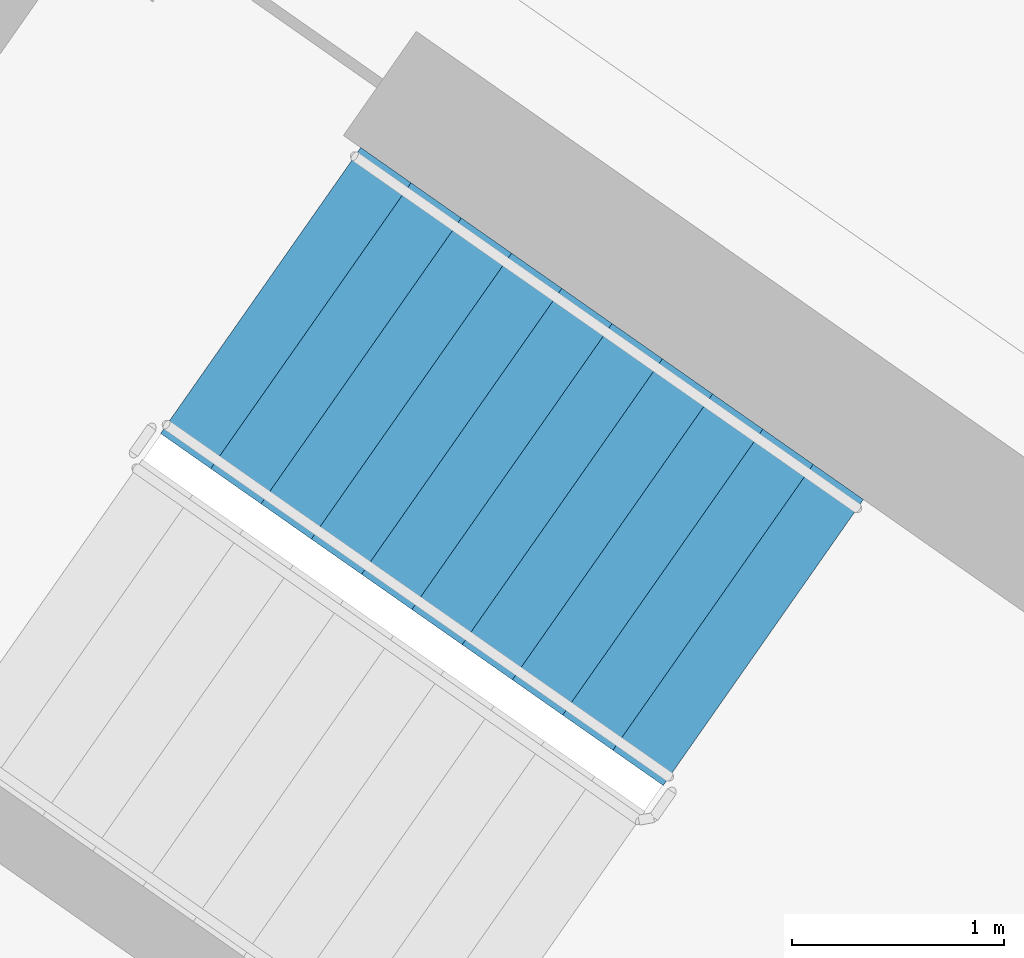
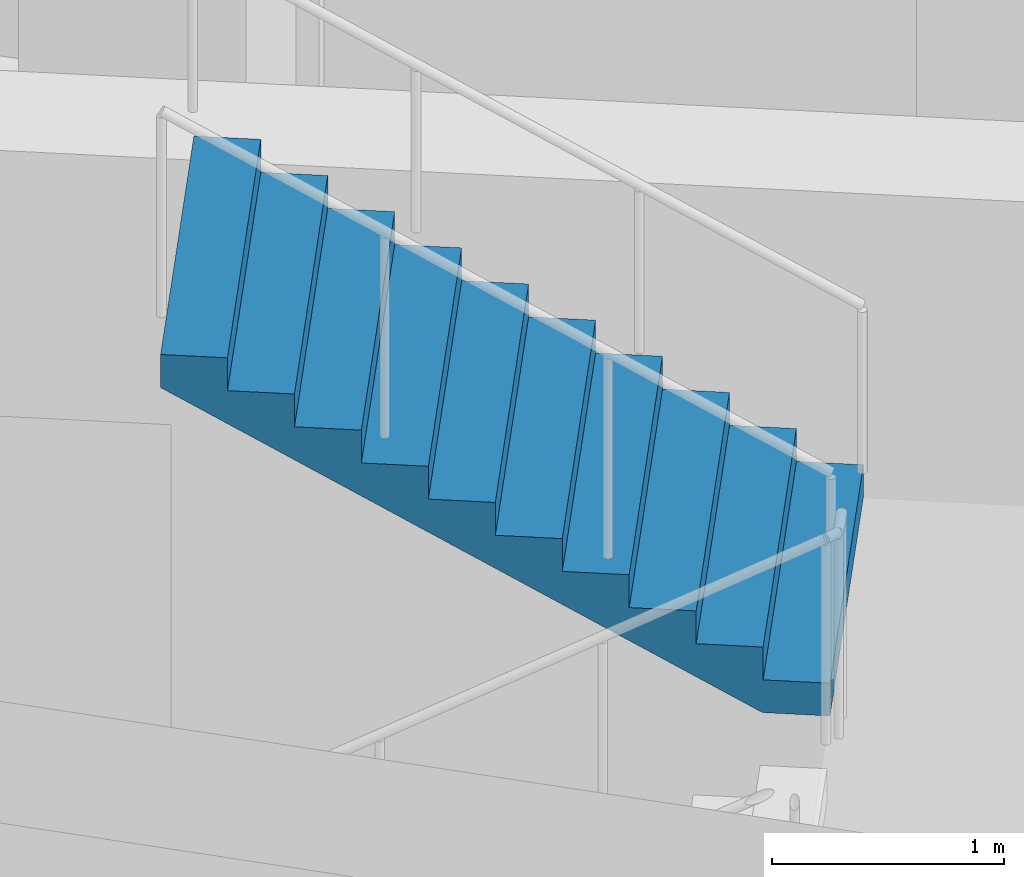
# One storey, part 13 of 28: 1 stair flight, 1 element without a shape of its own.
"""IFC4 building model written with IfcOpenShell, lengths in metres."""

import ifcopenshell
import ifcopenshell.guid

model = None  # the IFC model being written
_history = None  # IfcOwnerHistory: only IFC2X3 demands one
_inside = {}  # id of a spatial element -> (the spatial element, [elements in it])
_under = {}  # id of a project, library or spatial element -> (it, [spatial elements below it])
_declared = {}  # id of a project -> (the project, [libraries it declares])
_typed = {}  # id of a type object -> (the type object, [elements of that type])
_made_of = {}  # id of a material, layer set ... -> (it, [elements and type objects made of it])


def new_model(schema):
    """Start an empty IFC model of exactly this schema.

    Asked for "IFC4X3", IfcOpenShell would pick the latest addendum, in which some entities
    have other attributes; the version numbers below select the first issue.
    IFC2X3 requires an IfcOwnerHistory on every rooted entity: one is made here for all.
    """
    global model, _history
    if schema == "IFC4X3":
        model = ifcopenshell.file(schema_version=(4, 3, 0, 0))
    else:
        model = ifcopenshell.file(schema=schema)
    _inside.clear()
    _under.clear()
    _declared.clear()
    _typed.clear()
    _made_of.clear()
    _history = None
    if model.schema == "IFC2X3":
        org = make("IfcOrganization", Name="unknown")
        user = make(
            "IfcPersonAndOrganization",
            ThePerson=make("IfcPerson", FamilyName="unknown"),
            TheOrganization=org,
        )
        app = make(
            "IfcApplication",
            ApplicationDeveloper=org,
            Version="unknown",
            ApplicationFullName="unknown",
            ApplicationIdentifier="unknown",
        )
        _history = make(
            "IfcOwnerHistory",
            OwningUser=user,
            OwningApplication=app,
            ChangeAction="ADDED",
            CreationDate=0,
        )
    return model


def make(cls, **values):
    """One entity of the class cls with the attributes given. An attribute that is None is left unset."""
    return model.create_entity(
        cls, **{name: value for name, value in values.items() if value is not None}
    )


def rooted(cls, **values):
    """An entity with a GlobalId (a new one), such as an element, a storey or a relation."""
    return make(cls, GlobalId=ifcopenshell.guid.new(), OwnerHistory=_history, **values)


def si_unit(unit_type, name, prefix=None):
    """IfcSIUnit, for example si_unit("LENGTHUNIT", "METRE", prefix="MILLI")."""
    return make("IfcSIUnit", UnitType=unit_type, Prefix=prefix, Name=name)


def assignment(units):
    """IfcUnitAssignment: the units of a project."""
    return None if units is None else make("IfcUnitAssignment", Units=units)


def point(xyz):
    """IfcCartesianPoint."""
    return None if xyz is None else make("IfcCartesianPoint", Coordinates=xyz)


def direction(xyz):
    """IfcDirection."""
    return None if xyz is None else make("IfcDirection", DirectionRatios=xyz)


def frame(location, z_axis=None, x_axis=None):
    """IfcAxis2Placement3D, a coordinate frame: its origin and axes. An axis left out is left unset."""
    return make(
        "IfcAxis2Placement3D",
        Location=point(location),
        Axis=direction(z_axis),
        RefDirection=direction(x_axis),
    )


def origin():
    """The frame at (0, 0, 0) with its axes left unset."""
    return frame((0.0, 0.0, 0.0))


def place(relative_to, where):
    """IfcLocalPlacement: puts the frame where relative to a parent placement (None: the world)."""
    return make(
        "IfcLocalPlacement", PlacementRelTo=relative_to, RelativePlacement=where
    )


def context(
    kind, dimensions, precision=None, world=None, true_north=None, identifier=None
):
    """IfcGeometricRepresentationContext, for example the 3D "Model" context."""
    return make(
        "IfcGeometricRepresentationContext",
        ContextIdentifier=identifier,
        ContextType=kind,
        CoordinateSpaceDimension=dimensions,
        Precision=precision,
        WorldCoordinateSystem=world,
        TrueNorth=true_north,
    )


def subcontext(parent, identifier, kind, view, scale=None):
    """IfcGeometricRepresentationSubContext, for example "Body" below "Model"."""
    return make(
        "IfcGeometricRepresentationSubContext",
        ContextIdentifier=identifier,
        ContextType=kind,
        ParentContext=parent,
        TargetScale=scale,
        TargetView=view,
    )


def project(units=None, contexts=None):
    """IfcProject with its units and contexts."""
    return rooted(
        "IfcProject",
        Name="project",
        RepresentationContexts=contexts,
        UnitsInContext=assignment(units),
    )


def spatial(cls, under=None, at=None, **own):
    """A site, building, storey or space (cls), placed at a placement, below another one or the project."""
    s = rooted(cls, ObjectPlacement=at, **own)
    if under is not None:
        _under.setdefault(under.id(), (under, []))[1].append(s)
    return s


def faces_of(points, faces, orient=None, outer=None):
    """IfcFace entities. A face is a list of loops; a loop is a list of indices into points, from 0.

    orient and outer hold one flag for each loop. By default every Orientation is true, the
    first loop of a face is its IfcFaceOuterBound and the others are IfcFaceBound.
    """
    made = []
    for i, loops in enumerate(faces):
        bounds = []
        for j, loop in enumerate(loops):
            is_outer = j == 0 if outer is None else outer[i][j]
            bounds.append(
                make(
                    "IfcFaceOuterBound" if is_outer else "IfcFaceBound",
                    Bound=make("IfcPolyLoop", Polygon=[points[k] for k in loop]),
                    Orientation=True if orient is None else orient[i][j],
                )
            )
        made.append(make("IfcFace", Bounds=bounds))
    return made


def faceted_brep(points, faces, orient=None, outer=None, voids=None):
    """IfcFacetedBrep: a solid bounded by flat faces; with voids (closed shells), ...WithVoids."""
    shared = [point(p) for p in points]
    hull = make("IfcClosedShell", CfsFaces=faces_of(shared, faces, orient, outer))
    if voids is None:
        return make("IfcFacetedBrep", Outer=hull)
    return make(
        "IfcFacetedBrepWithVoids",
        Outer=hull,
        Voids=[
            make(cls, CfsFaces=faces_of(shared, fs, o, b)) for cls, fs, o, b in voids
        ],
    )


def shape(context_of_items, identifier, shape_type, items):
    """IfcShapeRepresentation: the items that make up one representation, for example the "Body"."""
    return make(
        "IfcShapeRepresentation",
        ContextOfItems=context_of_items,
        RepresentationIdentifier=identifier,
        RepresentationType=shape_type,
        Items=items,
    )


def material(Name=None, Category=None):
    """IfcMaterial."""
    return make("IfcMaterial", Name=Name, Category=Category)


def made_of(thing, what):
    """Note that an element or type object is made of a material, layer set ...; save() writes the relation."""
    if what is not None:
        _made_of.setdefault(what.id(), (what, []))[1].append(thing)
    return thing


def type_object(cls, material=None, **own):
    """A type object (cls), such as IfcWallType, which elements share."""
    return made_of(rooted(cls, **own), material)


def element(
    cls,
    number,
    at=None,
    inside=None,
    cuts=None,
    type_object=None,
    material=None,
    context=None,
    identifier="Body",
    shape_type=None,
    held_by="IfcProductDefinitionShape",
    body=None,
    shapes=None,
    **own,
):
    """One element of the class cls, such as IfcWall. Its Tag is "e" and its number.

    at: its placement. inside: the storey or other place that contains it. cuts: it is an
    opening in that element (IfcRelVoidsElement). A single representation is given by context,
    identifier, shape_type and body (its items); several are given by shapes. held_by: the class
    of the entity that holds the representations. save() writes the other relations.
    """
    e = rooted(cls, Tag="e%d" % number, ObjectPlacement=at, **own)
    if body is not None:
        shapes = [shape(context, identifier, shape_type, body)]
    if shapes is not None:
        e.Representation = make(held_by, Representations=shapes)
    if inside is not None:
        _inside.setdefault(inside.id(), (inside, []))[1].append(e)
    if cuts is not None:
        rooted(
            "IfcRelVoidsElement", RelatingBuildingElement=cuts, RelatedOpeningElement=e
        )
    if type_object is not None:
        _typed.setdefault(type_object.id(), (type_object, []))[1].append(e)
    return made_of(e, material)


def aggregate(whole, parts):
    """IfcRelAggregates: a whole, such as a stair, and the parts it consists of."""
    return rooted("IfcRelAggregates", RelatingObject=whole, RelatedObjects=parts)


def save(model, path):
    """Write the relations noted so far, then the file.

    IfcRelAggregates (storeys below a building ...), IfcRelContainedInSpatialStructure (elements
    in a storey), IfcRelDefinesByType, IfcRelAssociatesMaterial and IfcRelDeclares: one each for
    every whole, place, type object, material and project.
    """
    for whole, parts in _under.values():
        aggregate(whole, parts)
    for where, things in _inside.values():
        rooted(
            "IfcRelContainedInSpatialStructure",
            RelatedElements=things,
            RelatingStructure=where,
        )
    for kind, things in _typed.values():
        rooted("IfcRelDefinesByType", RelatedObjects=things, RelatingType=kind)
    for what, things in _made_of.values():
        rooted("IfcRelAssociatesMaterial", RelatedObjects=things, RelatingMaterial=what)
    for by, libraries in _declared.values():
        rooted("IfcRelDeclares", RelatingContext=by, RelatedDefinitions=libraries)
    model.write(path)


model = new_model("IFC4")

# Units and contexts
model_context = context("Model", 3, precision=1e-05, world=origin(), true_north=direction((0.0, 1.0)))
body_context = subcontext(model_context, "Body", "Model", "MODEL_VIEW")
ifc_project = project(units=[si_unit("LENGTHUNIT", "METRE"), si_unit("AREAUNIT", "SQUARE_METRE"), si_unit("VOLUMEUNIT", "CUBIC_METRE"), si_unit("PLANEANGLEUNIT", "RADIAN"), si_unit("MASSUNIT", "GRAM", prefix="KILO")], contexts=[model_context])

# Site, building, storey
site_placement = place(None, origin())
site = spatial("IfcSite", under=ifc_project, at=site_placement, CompositionType="ELEMENT")
building_placement = place(site_placement, origin())
building = spatial("IfcBuilding", under=site, at=building_placement, Name="Qamariyya Broadcast Tower", CompositionType="ELEMENT")
storey_placement = place(building_placement, frame((0.0, 0.0, 234.10009765625)))
storey = spatial("IfcBuildingStorey", under=building, at=storey_placement, Name="L56", CompositionType="ELEMENT", Elevation=234.10009765625)

# Stair, stair flight
ifc_material = material(Name="Concrete C50/60", Category="concrete")
stair_type = type_object("IfcStairType", Name="Exit stair 22 risers of 173 mm", PredefinedType="HALF_TURN_STAIR", material=ifc_material)
stair_placement = place(storey_placement, origin())
stair = element("IfcStair", 1, at=stair_placement, inside=storey, type_object=stair_type, Name="L56 Stair W2", PredefinedType="HALF_TURN_STAIR")
stair_flight_type = type_object("IfcStairFlightType", Name="Exit stair flight 11 risers of 173 mm", PredefinedType="STRAIGHT", material=ifc_material)
stair_flight_placement = place(storey_placement, frame((-38.18310546875, -49.3486328125, 1.89990234375), z_axis=(0.0, 0.0, 1.0), x_axis=(-0.819152044289, 0.573576436351, 0.0)))
stair_flight = element("IfcStairFlight", 2, at=stair_flight_placement, type_object=stair_flight_type, Name="ST-W2 flight 2", NumberOfRisers=11, NumberOfTreads=10, PredefinedType="STRAIGHT", RiserHeight=0.172727273, TreadLength=0.29, context=body_context, shape_type="Brep", body=[
    faceted_brep([(0.0, 0.824951171875, 0.0), (0.0, 0.824951171875, 0.172607421875), (0.2900390625, 0.824951171875, 0.172607421875), (0.2900390625, 0.824951171875, 0.345458984375), (0.580078125, 0.824951171875, 0.345458984375), (0.580078125, 0.824951171875, 0.51806640625), (0.8701171875, 0.824951171875, 0.51806640625), (0.8701171875, 0.824951171875, 0.69091796875), (1.159912109375, 0.824951171875, 0.69091796875), (1.159912109375, 0.824951171875, 0.863525390625), (1.449951171875, 0.824951171875, 0.863525390625), (1.449951171875, 0.824951171875, 1.036376953125), (1.739990234375, 0.824951171875, 1.036376953125), (1.739990234375, 0.824951171875, 1.208984375), (2.030029296875, 0.824951171875, 1.208984375), (2.030029296875, 0.824951171875, 1.3818359375), (2.320068359375, 0.824951171875, 1.3818359375), (2.320068359375, 0.824951171875, 1.554443359375), (2.610107421875, 0.824951171875, 1.554443359375), (2.610107421875, 0.824951171875, 1.727294921875), (2.89990234375, 0.824951171875, 1.727294921875), (2.89990234375, 0.824951171875, 1.552734375), (0.29296875, 0.824951171875, 0.0), (0.29296875, -0.824951171875, 0.0), (2.89990234375, -0.824951171875, 1.552734375), (2.89990234375, -0.824951171875, 1.727294921875), (2.610107421875, -0.824951171875, 1.727294921875), (2.610107421875, -0.824951171875, 1.554443359375), (2.320068359375, -0.824951171875, 1.554443359375), (2.320068359375, -0.824951171875, 1.3818359375), (2.030029296875, -0.824951171875, 1.3818359375), (2.030029296875, -0.824951171875, 1.208984375), (1.739990234375, -0.824951171875, 1.208984375), (1.739990234375, -0.824951171875, 1.036376953125), (1.449951171875, -0.824951171875, 1.036376953125), (1.449951171875, -0.824951171875, 0.863525390625), (1.159912109375, -0.824951171875, 0.863525390625), (1.159912109375, -0.824951171875, 0.69091796875), (0.8701171875, -0.824951171875, 0.69091796875), (0.8701171875, -0.824951171875, 0.51806640625), (0.580078125, -0.824951171875, 0.51806640625), (0.580078125, -0.824951171875, 0.345458984375), (0.2900390625, -0.824951171875, 0.345458984375), (0.2900390625, -0.824951171875, 0.172607421875), (0.0, -0.824951171875, 0.172607421875), (0.0, -0.824951171875, 0.0), (0.0, 0.10009765625, 0.0), (0.0, 0.086669921875, 0.0), (0.0, 0.0732421875, 0.0), (0.0, 0.06005859375, 0.0), (0.0, 0.046630859375, 0.0), (0.0, 0.033447265625, 0.0), (0.0, 0.02001953125, 0.0), (0.0, 0.006591796875, 0.0), (0.0, -0.006591796875, 0.0), (0.0, -0.02001953125, 0.0), (0.0, -0.033447265625, 0.0), (0.0, -0.046630859375, 0.0), (0.0, -0.06005859375, 0.0), (0.0, -0.0732421875, 0.0), (0.0, -0.086669921875, 0.0), (0.0, -0.10009765625, 0.0), (0.0, -0.10009765625, 0.172607421875), (0.0, -0.086669921875, 0.172607421875), (0.0, -0.0732421875, 0.172607421875), (0.0, -0.06005859375, 0.172607421875), (0.0, -0.046630859375, 0.172607421875), (0.0, -0.033447265625, 0.172607421875), (0.0, -0.02001953125, 0.172607421875), (0.0, -0.006591796875, 0.172607421875), (0.0, 0.006591796875, 0.172607421875), (0.0, 0.02001953125, 0.172607421875), (0.0, 0.033447265625, 0.172607421875), (0.0, 0.046630859375, 0.172607421875), (0.0, 0.06005859375, 0.172607421875), (0.0, 0.0732421875, 0.172607421875), (0.0, 0.086669921875, 0.172607421875), (0.0, 0.10009765625, 0.172607421875), (0.2900390625, -0.10009765625, 0.172607421875), (0.2900390625, -0.086669921875, 0.172607421875), (0.2900390625, -0.0732421875, 0.172607421875), (0.2900390625, -0.06005859375, 0.172607421875), (0.2900390625, -0.046630859375, 0.172607421875), (0.2900390625, -0.033447265625, 0.172607421875), (0.2900390625, -0.02001953125, 0.172607421875), (0.2900390625, -0.006591796875, 0.172607421875), (0.2900390625, 0.006591796875, 0.172607421875), (0.2900390625, 0.02001953125, 0.172607421875), (0.2900390625, 0.033447265625, 0.172607421875), (0.2900390625, 0.046630859375, 0.172607421875), (0.2900390625, 0.06005859375, 0.172607421875), (0.2900390625, 0.0732421875, 0.172607421875), (0.2900390625, 0.086669921875, 0.172607421875), (0.2900390625, 0.10009765625, 0.172607421875), (0.2900390625, -0.10009765625, 0.345458984375), (0.2900390625, -0.086669921875, 0.345458984375), (0.2900390625, -0.0732421875, 0.345458984375), (0.2900390625, -0.06005859375, 0.345458984375), (0.2900390625, -0.046630859375, 0.345458984375), (0.2900390625, -0.033447265625, 0.345458984375), (0.2900390625, -0.02001953125, 0.345458984375), (0.2900390625, -0.006591796875, 0.345458984375), (0.2900390625, 0.006591796875, 0.345458984375), (0.2900390625, 0.02001953125, 0.345458984375), (0.2900390625, 0.033447265625, 0.345458984375), (0.2900390625, 0.046630859375, 0.345458984375), (0.2900390625, 0.06005859375, 0.345458984375), (0.2900390625, 0.0732421875, 0.345458984375), (0.2900390625, 0.086669921875, 0.345458984375), (0.2900390625, 0.10009765625, 0.345458984375), (0.580078125, -0.10009765625, 0.345458984375), (0.580078125, -0.086669921875, 0.345458984375), (0.580078125, -0.0732421875, 0.345458984375), (0.580078125, -0.06005859375, 0.345458984375), (0.580078125, -0.046630859375, 0.345458984375), (0.580078125, -0.033447265625, 0.345458984375), (0.580078125, -0.02001953125, 0.345458984375), (0.580078125, -0.006591796875, 0.345458984375), (0.580078125, 0.006591796875, 0.345458984375), (0.580078125, 0.02001953125, 0.345458984375), (0.580078125, 0.033447265625, 0.345458984375), (0.580078125, 0.046630859375, 0.345458984375), (0.580078125, 0.06005859375, 0.345458984375), (0.580078125, 0.0732421875, 0.345458984375), (0.580078125, 0.086669921875, 0.345458984375), (0.580078125, 0.10009765625, 0.345458984375), (0.580078125, -0.10009765625, 0.51806640625), (0.580078125, -0.086669921875, 0.51806640625), (0.580078125, -0.0732421875, 0.51806640625), (0.580078125, -0.06005859375, 0.51806640625), (0.580078125, -0.046630859375, 0.51806640625), (0.580078125, -0.033447265625, 0.51806640625), (0.580078125, -0.02001953125, 0.51806640625), (0.580078125, -0.006591796875, 0.51806640625), (0.580078125, 0.006591796875, 0.51806640625), (0.580078125, 0.02001953125, 0.51806640625), (0.580078125, 0.033447265625, 0.51806640625), (0.580078125, 0.046630859375, 0.51806640625), (0.580078125, 0.06005859375, 0.51806640625), (0.580078125, 0.0732421875, 0.51806640625), (0.580078125, 0.086669921875, 0.51806640625), (0.580078125, 0.10009765625, 0.51806640625), (0.8701171875, -0.10009765625, 0.51806640625), (0.8701171875, -0.086669921875, 0.51806640625), (0.8701171875, -0.0732421875, 0.51806640625), (0.8701171875, -0.06005859375, 0.51806640625), (0.8701171875, -0.046630859375, 0.51806640625), (0.8701171875, -0.033447265625, 0.51806640625), (0.8701171875, -0.02001953125, 0.51806640625), (0.8701171875, -0.006591796875, 0.51806640625), (0.8701171875, 0.006591796875, 0.51806640625), (0.8701171875, 0.02001953125, 0.51806640625), (0.8701171875, 0.033447265625, 0.51806640625), (0.8701171875, 0.046630859375, 0.51806640625), (0.8701171875, 0.06005859375, 0.51806640625), (0.8701171875, 0.0732421875, 0.51806640625), (0.8701171875, 0.086669921875, 0.51806640625), (0.8701171875, 0.10009765625, 0.51806640625), (0.8701171875, -0.10009765625, 0.69091796875), (0.8701171875, -0.086669921875, 0.69091796875), (0.8701171875, -0.0732421875, 0.69091796875), (0.8701171875, -0.06005859375, 0.69091796875), (0.8701171875, -0.046630859375, 0.69091796875), (0.8701171875, -0.033447265625, 0.69091796875), (0.8701171875, -0.02001953125, 0.69091796875), (0.8701171875, -0.006591796875, 0.69091796875), (0.8701171875, 0.006591796875, 0.69091796875), (0.8701171875, 0.02001953125, 0.69091796875), (0.8701171875, 0.033447265625, 0.69091796875), (0.8701171875, 0.046630859375, 0.69091796875), (0.8701171875, 0.06005859375, 0.69091796875), (0.8701171875, 0.0732421875, 0.69091796875), (0.8701171875, 0.086669921875, 0.69091796875), (0.8701171875, 0.10009765625, 0.69091796875), (1.159912109375, -0.10009765625, 0.69091796875), (1.159912109375, -0.086669921875, 0.69091796875), (1.159912109375, -0.0732421875, 0.69091796875), (1.159912109375, -0.06005859375, 0.69091796875), (1.159912109375, -0.046630859375, 0.69091796875), (1.159912109375, -0.033447265625, 0.69091796875), (1.159912109375, -0.02001953125, 0.69091796875), (1.159912109375, -0.006591796875, 0.69091796875), (1.159912109375, 0.006591796875, 0.69091796875), (1.159912109375, 0.02001953125, 0.69091796875), (1.159912109375, 0.033447265625, 0.69091796875), (1.159912109375, 0.046630859375, 0.69091796875), (1.159912109375, 0.06005859375, 0.69091796875), (1.159912109375, 0.0732421875, 0.69091796875), (1.159912109375, 0.086669921875, 0.69091796875), (1.159912109375, 0.10009765625, 0.69091796875), (1.159912109375, -0.10009765625, 0.863525390625), (1.159912109375, -0.086669921875, 0.863525390625), (1.159912109375, -0.0732421875, 0.863525390625), (1.159912109375, -0.06005859375, 0.863525390625), (1.159912109375, -0.046630859375, 0.863525390625), (1.159912109375, -0.033447265625, 0.863525390625), (1.159912109375, -0.02001953125, 0.863525390625), (1.159912109375, -0.006591796875, 0.863525390625), (1.159912109375, 0.006591796875, 0.863525390625), (1.159912109375, 0.02001953125, 0.863525390625), (1.159912109375, 0.033447265625, 0.863525390625), (1.159912109375, 0.046630859375, 0.863525390625), (1.159912109375, 0.06005859375, 0.863525390625), (1.159912109375, 0.0732421875, 0.863525390625), (1.159912109375, 0.086669921875, 0.863525390625), (1.159912109375, 0.10009765625, 0.863525390625), (1.449951171875, -0.10009765625, 0.863525390625), (1.449951171875, -0.086669921875, 0.863525390625), (1.449951171875, -0.0732421875, 0.863525390625), (1.449951171875, -0.06005859375, 0.863525390625), (1.449951171875, -0.046630859375, 0.863525390625), (1.449951171875, -0.033447265625, 0.863525390625), (1.449951171875, -0.02001953125, 0.863525390625), (1.449951171875, -0.006591796875, 0.863525390625), (1.449951171875, 0.006591796875, 0.863525390625), (1.449951171875, 0.02001953125, 0.863525390625), (1.449951171875, 0.033447265625, 0.863525390625), (1.449951171875, 0.046630859375, 0.863525390625), (1.449951171875, 0.06005859375, 0.863525390625), (1.449951171875, 0.0732421875, 0.863525390625), (1.449951171875, 0.086669921875, 0.863525390625), (1.449951171875, 0.10009765625, 0.863525390625), (1.449951171875, -0.10009765625, 1.036376953125), (1.449951171875, -0.086669921875, 1.036376953125), (1.449951171875, -0.0732421875, 1.036376953125), (1.449951171875, -0.06005859375, 1.036376953125), (1.449951171875, -0.046630859375, 1.036376953125), (1.449951171875, -0.033447265625, 1.036376953125), (1.449951171875, -0.02001953125, 1.036376953125), (1.449951171875, -0.006591796875, 1.036376953125), (1.449951171875, 0.006591796875, 1.036376953125), (1.449951171875, 0.02001953125, 1.036376953125), (1.449951171875, 0.033447265625, 1.036376953125), (1.449951171875, 0.046630859375, 1.036376953125), (1.449951171875, 0.06005859375, 1.036376953125), (1.449951171875, 0.0732421875, 1.036376953125), (1.449951171875, 0.086669921875, 1.036376953125), (1.449951171875, 0.10009765625, 1.036376953125), (1.739990234375, -0.10009765625, 1.036376953125), (1.739990234375, -0.086669921875, 1.036376953125), (1.739990234375, -0.0732421875, 1.036376953125), (1.739990234375, -0.06005859375, 1.036376953125), (1.739990234375, -0.046630859375, 1.036376953125), (1.739990234375, -0.033447265625, 1.036376953125), (1.739990234375, -0.02001953125, 1.036376953125), (1.739990234375, -0.006591796875, 1.036376953125), (1.739990234375, 0.006591796875, 1.036376953125), (1.739990234375, 0.02001953125, 1.036376953125), (1.739990234375, 0.033447265625, 1.036376953125), (1.739990234375, 0.046630859375, 1.036376953125), (1.739990234375, 0.06005859375, 1.036376953125), (1.739990234375, 0.0732421875, 1.036376953125), (1.739990234375, 0.086669921875, 1.036376953125), (1.739990234375, 0.10009765625, 1.036376953125), (1.739990234375, -0.10009765625, 1.208984375), (1.739990234375, -0.086669921875, 1.208984375), (1.739990234375, -0.0732421875, 1.208984375), (1.739990234375, -0.06005859375, 1.208984375), (1.739990234375, -0.046630859375, 1.208984375), (1.739990234375, -0.033447265625, 1.208984375), (1.739990234375, -0.02001953125, 1.208984375), (1.739990234375, -0.006591796875, 1.208984375), (1.739990234375, 0.006591796875, 1.208984375), (1.739990234375, 0.02001953125, 1.208984375), (1.739990234375, 0.033447265625, 1.208984375), (1.739990234375, 0.046630859375, 1.208984375), (1.739990234375, 0.06005859375, 1.208984375), (1.739990234375, 0.0732421875, 1.208984375), (1.739990234375, 0.086669921875, 1.208984375), (1.739990234375, 0.10009765625, 1.208984375), (2.030029296875, -0.10009765625, 1.208984375), (2.030029296875, -0.086669921875, 1.208984375), (2.030029296875, -0.0732421875, 1.208984375), (2.030029296875, -0.06005859375, 1.208984375), (2.030029296875, -0.046630859375, 1.208984375), (2.030029296875, -0.033447265625, 1.208984375), (2.030029296875, -0.02001953125, 1.208984375), (2.030029296875, -0.006591796875, 1.208984375), (2.030029296875, 0.006591796875, 1.208984375), (2.030029296875, 0.02001953125, 1.208984375), (2.030029296875, 0.033447265625, 1.208984375), (2.030029296875, 0.046630859375, 1.208984375), (2.030029296875, 0.06005859375, 1.208984375), (2.030029296875, 0.0732421875, 1.208984375), (2.030029296875, 0.086669921875, 1.208984375), (2.030029296875, 0.10009765625, 1.208984375), (2.030029296875, -0.10009765625, 1.3818359375), (2.030029296875, -0.086669921875, 1.3818359375), (2.030029296875, -0.0732421875, 1.3818359375), (2.030029296875, -0.06005859375, 1.3818359375), (2.030029296875, -0.046630859375, 1.3818359375), (2.030029296875, -0.033447265625, 1.3818359375), (2.030029296875, -0.02001953125, 1.3818359375), (2.030029296875, -0.006591796875, 1.3818359375), (2.030029296875, 0.006591796875, 1.3818359375), (2.030029296875, 0.02001953125, 1.3818359375), (2.030029296875, 0.033447265625, 1.3818359375), (2.030029296875, 0.046630859375, 1.3818359375), (2.030029296875, 0.06005859375, 1.3818359375), (2.030029296875, 0.0732421875, 1.3818359375), (2.030029296875, 0.086669921875, 1.3818359375), (2.030029296875, 0.10009765625, 1.3818359375), (2.320068359375, -0.10009765625, 1.3818359375), (2.320068359375, -0.086669921875, 1.3818359375), (2.320068359375, -0.0732421875, 1.3818359375), (2.320068359375, -0.06005859375, 1.3818359375), (2.320068359375, -0.046630859375, 1.3818359375), (2.320068359375, -0.033447265625, 1.3818359375), (2.320068359375, -0.02001953125, 1.3818359375), (2.320068359375, -0.006591796875, 1.3818359375), (2.320068359375, 0.006591796875, 1.3818359375), (2.320068359375, 0.02001953125, 1.3818359375), (2.320068359375, 0.033447265625, 1.3818359375), (2.320068359375, 0.046630859375, 1.3818359375), (2.320068359375, 0.06005859375, 1.3818359375), (2.320068359375, 0.0732421875, 1.3818359375), (2.320068359375, 0.086669921875, 1.3818359375), (2.320068359375, 0.10009765625, 1.3818359375), (2.320068359375, -0.10009765625, 1.554443359375), (2.320068359375, -0.086669921875, 1.554443359375), (2.320068359375, -0.0732421875, 1.554443359375), (2.320068359375, -0.06005859375, 1.554443359375), (2.320068359375, -0.046630859375, 1.554443359375), (2.320068359375, -0.033447265625, 1.554443359375), (2.320068359375, -0.02001953125, 1.554443359375), (2.320068359375, -0.006591796875, 1.554443359375), (2.320068359375, 0.006591796875, 1.554443359375), (2.320068359375, 0.02001953125, 1.554443359375), (2.320068359375, 0.033447265625, 1.554443359375), (2.320068359375, 0.046630859375, 1.554443359375), (2.320068359375, 0.06005859375, 1.554443359375), (2.320068359375, 0.0732421875, 1.554443359375), (2.320068359375, 0.086669921875, 1.554443359375), (2.320068359375, 0.10009765625, 1.554443359375), (2.610107421875, -0.10009765625, 1.554443359375), (2.610107421875, -0.086669921875, 1.554443359375), (2.610107421875, -0.0732421875, 1.554443359375), (2.610107421875, -0.06005859375, 1.554443359375), (2.610107421875, -0.046630859375, 1.554443359375), (2.610107421875, -0.033447265625, 1.554443359375), (2.610107421875, -0.02001953125, 1.554443359375), (2.610107421875, -0.006591796875, 1.554443359375), (2.610107421875, 0.006591796875, 1.554443359375), (2.610107421875, 0.02001953125, 1.554443359375), (2.610107421875, 0.033447265625, 1.554443359375), (2.610107421875, 0.046630859375, 1.554443359375), (2.610107421875, 0.06005859375, 1.554443359375), (2.610107421875, 0.0732421875, 1.554443359375), (2.610107421875, 0.086669921875, 1.554443359375), (2.610107421875, 0.10009765625, 1.554443359375), (2.610107421875, -0.10009765625, 1.727294921875), (2.610107421875, -0.086669921875, 1.727294921875), (2.610107421875, -0.0732421875, 1.727294921875), (2.610107421875, -0.06005859375, 1.727294921875), (2.610107421875, -0.046630859375, 1.727294921875), (2.610107421875, -0.033447265625, 1.727294921875), (2.610107421875, -0.02001953125, 1.727294921875), (2.610107421875, -0.006591796875, 1.727294921875), (2.610107421875, 0.006591796875, 1.727294921875), (2.610107421875, 0.02001953125, 1.727294921875), (2.610107421875, 0.033447265625, 1.727294921875), (2.610107421875, 0.046630859375, 1.727294921875), (2.610107421875, 0.06005859375, 1.727294921875), (2.610107421875, 0.0732421875, 1.727294921875), (2.610107421875, 0.086669921875, 1.727294921875), (2.610107421875, 0.10009765625, 1.727294921875), (2.89990234375, -0.10009765625, 1.727294921875), (2.89990234375, -0.086669921875, 1.727294921875), (2.89990234375, -0.0732421875, 1.727294921875), (2.89990234375, -0.06005859375, 1.727294921875), (2.89990234375, -0.046630859375, 1.727294921875), (2.89990234375, -0.033447265625, 1.727294921875), (2.89990234375, -0.02001953125, 1.727294921875), (2.89990234375, -0.006591796875, 1.727294921875), (2.89990234375, 0.006591796875, 1.727294921875), (2.89990234375, 0.02001953125, 1.727294921875), (2.89990234375, 0.033447265625, 1.727294921875), (2.89990234375, 0.046630859375, 1.727294921875), (2.89990234375, 0.06005859375, 1.727294921875), (2.89990234375, 0.0732421875, 1.727294921875), (2.89990234375, 0.086669921875, 1.727294921875), (2.89990234375, 0.10009765625, 1.727294921875), (2.89990234375, -0.10009765625, 1.552734375), (2.89990234375, -0.086669921875, 1.552734375), (2.89990234375, -0.0732421875, 1.552734375), (2.89990234375, -0.06005859375, 1.552734375), (2.89990234375, -0.046630859375, 1.552734375), (2.89990234375, -0.033447265625, 1.552734375), (2.89990234375, -0.02001953125, 1.552734375), (2.89990234375, -0.006591796875, 1.552734375), (2.89990234375, 0.006591796875, 1.552734375), (2.89990234375, 0.02001953125, 1.552734375), (2.89990234375, 0.033447265625, 1.552734375), (2.89990234375, 0.046630859375, 1.552734375), (2.89990234375, 0.06005859375, 1.552734375), (2.89990234375, 0.0732421875, 1.552734375), (2.89990234375, 0.086669921875, 1.552734375), (2.89990234375, 0.10009765625, 1.552734375), (0.29296875, -0.10009765625, 0.0), (0.29296875, -0.086669921875, 0.0), (0.29296875, -0.0732421875, 0.0), (0.29296875, -0.06005859375, 0.0), (0.29296875, -0.046630859375, 0.0), (0.29296875, -0.033447265625, 0.0), (0.29296875, -0.02001953125, 0.0), (0.29296875, -0.006591796875, 0.0), (0.29296875, 0.006591796875, 0.0), (0.29296875, 0.02001953125, 0.0), (0.29296875, 0.033447265625, 0.0), (0.29296875, 0.046630859375, 0.0), (0.29296875, 0.06005859375, 0.0), (0.29296875, 0.0732421875, 0.0), (0.29296875, 0.086669921875, 0.0), (0.29296875, 0.10009765625, 0.0)], [[[0, 1, 2, 3, 4, 5, 6, 7, 8, 9, 10, 11, 12, 13, 14, 15, 16, 17, 18, 19, 20, 21, 22]], [[23, 24, 25, 26, 27, 28, 29, 30, 31, 32, 33, 34, 35, 36, 37, 38, 39, 40, 41, 42, 43, 44, 45]], [[0, 46, 47, 48, 49, 50, 51, 52, 53, 54, 55, 56, 57, 58, 59, 60, 61, 45, 44, 62, 63, 64, 65, 66, 67, 68, 69, 70, 71, 72, 73, 74, 75, 76, 77, 1]], [[1, 77, 76, 75, 74, 73, 72, 71, 70, 69, 68, 67, 66, 65, 64, 63, 62, 44, 43, 78, 79, 80, 81, 82, 83, 84, 85, 86, 87, 88, 89, 90, 91, 92, 93, 2]], [[2, 93, 92, 91, 90, 89, 88, 87, 86, 85, 84, 83, 82, 81, 80, 79, 78, 43, 42, 94, 95, 96, 97, 98, 99, 100, 101, 102, 103, 104, 105, 106, 107, 108, 109, 3]], [[3, 109, 108, 107, 106, 105, 104, 103, 102, 101, 100, 99, 98, 97, 96, 95, 94, 42, 41, 110, 111, 112, 113, 114, 115, 116, 117, 118, 119, 120, 121, 122, 123, 124, 125, 4]], [[4, 125, 124, 123, 122, 121, 120, 119, 118, 117, 116, 115, 114, 113, 112, 111, 110, 41, 40, 126, 127, 128, 129, 130, 131, 132, 133, 134, 135, 136, 137, 138, 139, 140, 141, 5]], [[5, 141, 140, 139, 138, 137, 136, 135, 134, 133, 132, 131, 130, 129, 128, 127, 126, 40, 39, 142, 143, 144, 145, 146, 147, 148, 149, 150, 151, 152, 153, 154, 155, 156, 157, 6]], [[6, 157, 156, 155, 154, 153, 152, 151, 150, 149, 148, 147, 146, 145, 144, 143, 142, 39, 38, 158, 159, 160, 161, 162, 163, 164, 165, 166, 167, 168, 169, 170, 171, 172, 173, 7]], [[7, 173, 172, 171, 170, 169, 168, 167, 166, 165, 164, 163, 162, 161, 160, 159, 158, 38, 37, 174, 175, 176, 177, 178, 179, 180, 181, 182, 183, 184, 185, 186, 187, 188, 189, 8]], [[8, 189, 188, 187, 186, 185, 184, 183, 182, 181, 180, 179, 178, 177, 176, 175, 174, 37, 36, 190, 191, 192, 193, 194, 195, 196, 197, 198, 199, 200, 201, 202, 203, 204, 205, 9]], [[9, 205, 204, 203, 202, 201, 200, 199, 198, 197, 196, 195, 194, 193, 192, 191, 190, 36, 35, 206, 207, 208, 209, 210, 211, 212, 213, 214, 215, 216, 217, 218, 219, 220, 221, 10]], [[10, 221, 220, 219, 218, 217, 216, 215, 214, 213, 212, 211, 210, 209, 208, 207, 206, 35, 34, 222, 223, 224, 225, 226, 227, 228, 229, 230, 231, 232, 233, 234, 235, 236, 237, 11]], [[11, 237, 236, 235, 234, 233, 232, 231, 230, 229, 228, 227, 226, 225, 224, 223, 222, 34, 33, 238, 239, 240, 241, 242, 243, 244, 245, 246, 247, 248, 249, 250, 251, 252, 253, 12]], [[12, 253, 252, 251, 250, 249, 248, 247, 246, 245, 244, 243, 242, 241, 240, 239, 238, 33, 32, 254, 255, 256, 257, 258, 259, 260, 261, 262, 263, 264, 265, 266, 267, 268, 269, 13]], [[13, 269, 268, 267, 266, 265, 264, 263, 262, 261, 260, 259, 258, 257, 256, 255, 254, 32, 31, 270, 271, 272, 273, 274, 275, 276, 277, 278, 279, 280, 281, 282, 283, 284, 285, 14]], [[14, 285, 284, 283, 282, 281, 280, 279, 278, 277, 276, 275, 274, 273, 272, 271, 270, 31, 30, 286, 287, 288, 289, 290, 291, 292, 293, 294, 295, 296, 297, 298, 299, 300, 301, 15]], [[15, 301, 300, 299, 298, 297, 296, 295, 294, 293, 292, 291, 290, 289, 288, 287, 286, 30, 29, 302, 303, 304, 305, 306, 307, 308, 309, 310, 311, 312, 313, 314, 315, 316, 317, 16]], [[16, 317, 316, 315, 314, 313, 312, 311, 310, 309, 308, 307, 306, 305, 304, 303, 302, 29, 28, 318, 319, 320, 321, 322, 323, 324, 325, 326, 327, 328, 329, 330, 331, 332, 333, 17]], [[17, 333, 332, 331, 330, 329, 328, 327, 326, 325, 324, 323, 322, 321, 320, 319, 318, 28, 27, 334, 335, 336, 337, 338, 339, 340, 341, 342, 343, 344, 345, 346, 347, 348, 349, 18]], [[18, 349, 348, 347, 346, 345, 344, 343, 342, 341, 340, 339, 338, 337, 336, 335, 334, 27, 26, 350, 351, 352, 353, 354, 355, 356, 357, 358, 359, 360, 361, 362, 363, 364, 365, 19]], [[19, 365, 364, 363, 362, 361, 360, 359, 358, 357, 356, 355, 354, 353, 352, 351, 350, 26, 25, 366, 367, 368, 369, 370, 371, 372, 373, 374, 375, 376, 377, 378, 379, 380, 381, 20]], [[20, 381, 380, 379, 378, 377, 376, 375, 374, 373, 372, 371, 370, 369, 368, 367, 366, 25, 24, 382, 383, 384, 385, 386, 387, 388, 389, 390, 391, 392, 393, 394, 395, 396, 397, 21]], [[21, 397, 396, 395, 394, 393, 392, 391, 390, 389, 388, 387, 386, 385, 384, 383, 382, 24, 23, 398, 399, 400, 401, 402, 403, 404, 405, 406, 407, 408, 409, 410, 411, 412, 413, 22]], [[22, 413, 412, 411, 410, 409, 408, 407, 406, 405, 404, 403, 402, 401, 400, 399, 398, 23, 45, 61, 60, 59, 58, 57, 56, 55, 54, 53, 52, 51, 50, 49, 48, 47, 46, 0]]]),
])
aggregate(stair, [stair_flight])

save(model, "model.ifc")
